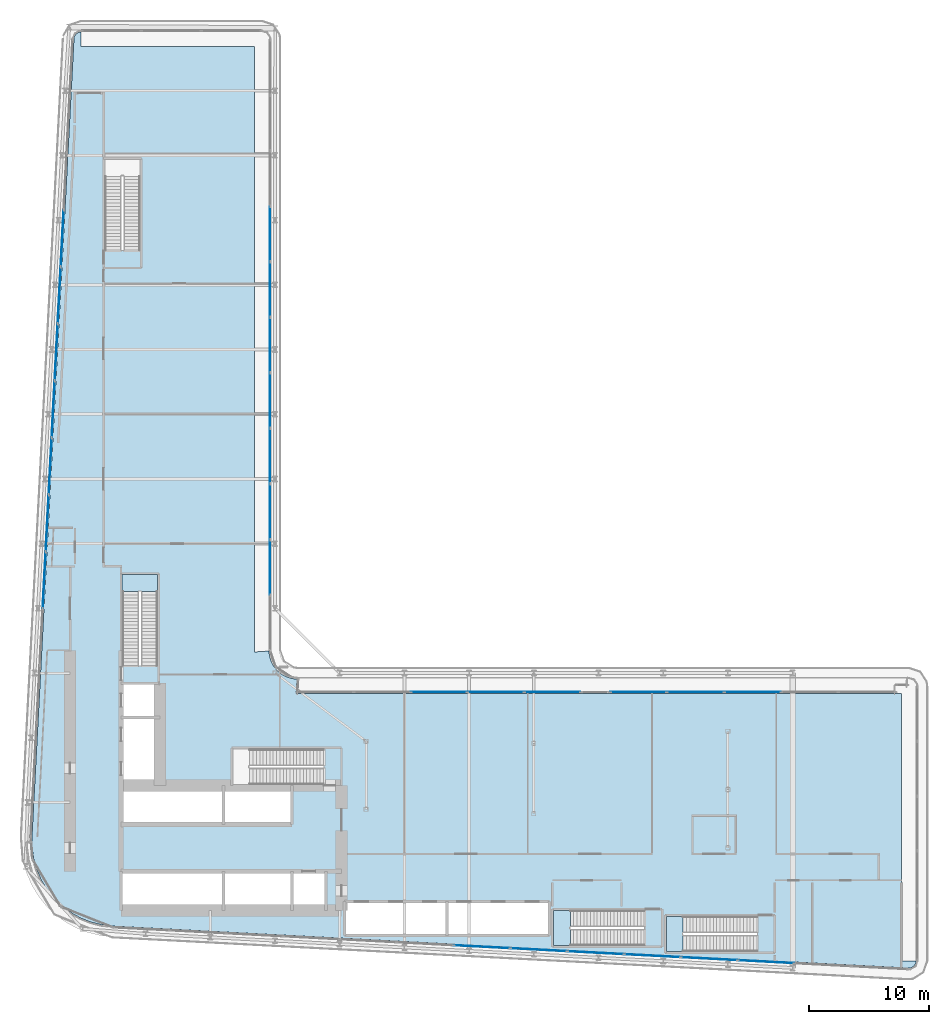
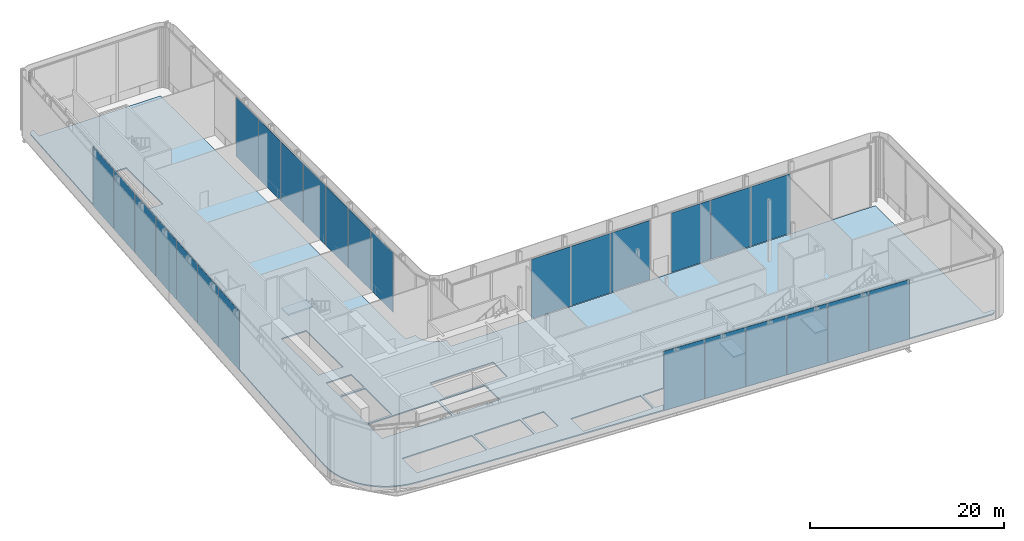
# One storey, part 21 of 36: 26 plates, 4 slabs, 8 elements without a shape of their own.
"""IFC4 building model written with IfcOpenShell, lengths in metres."""

from ifc_helpers import new_model, si_unit, direction, frame, origin, origin_2d, place, context, subcontext, project, spatial, polyline, rectangle, outline, extrude, material, layer, layer_set, type_object, element, aggregate, save


model = new_model("IFC4")

# Units and contexts
model_context = context("Model", 3, precision=1e-05, world=origin(), true_north=direction((0.0, 1.0)))
body_context = subcontext(model_context, "Body", "Model", "MODEL_VIEW")
ifc_project = project(units=[si_unit("LENGTHUNIT", "METRE"), si_unit("AREAUNIT", "SQUARE_METRE"), si_unit("VOLUMEUNIT", "CUBIC_METRE"), si_unit("PLANEANGLEUNIT", "RADIAN"), si_unit("MASSUNIT", "GRAM", prefix="KILO")], contexts=[model_context])

# Site, building, storey
site_placement = place(None, origin())
site = spatial("IfcSite", under=ifc_project, at=site_placement, CompositionType="ELEMENT")
building_placement = place(site_placement, origin())
building = spatial("IfcBuilding", under=site, at=building_placement, Name="Kheshtan School and Residences Tower", CompositionType="ELEMENT")
storey_placement = place(building_placement, frame((0.0, 0.0, 81.199951171875)))
storey = spatial("IfcBuildingStorey", under=building, at=storey_placement, Name="L19", CompositionType="ELEMENT", Elevation=81.199951171875)

# Curtain wall, plates
ifc_material_1 = material(Name="Clear low-e glass in thermally broken aluminium frame", Category="aluminium")
ifc_layer_1 = layer(ifc_material_1, 0.25)
ifc_layer_set_1 = layer_set([ifc_layer_1], Name="Curtain wall CW-G")
curtain_wall_type_1 = type_object("IfcCurtainWallType", Name="Curtain wall CW-G", PredefinedType="NOTDEFINED", material=ifc_layer_set_1)
curtain_wall_1_placement = place(storey_placement, origin())
curtain_wall_1 = element("IfcCurtainWall", 1, at=curtain_wall_1_placement, inside=storey, type_object=curtain_wall_type_1, Name="Curtain wall CWG5", PredefinedType="NOTDEFINED")
ifc_layer_2 = layer(ifc_material_1, 0.0380859375)
ifc_layer_set_2 = layer_set([ifc_layer_2], Name="CW-G glass panel")
plate_type_1 = type_object("IfcPlateType", Name="CW-G glass panel", PredefinedType="CURTAIN_PANEL", material=ifc_layer_set_2)
plate_1_placement = place(storey_placement, frame((61.280029296875, 44.0, 0.0), z_axis=(0.0, 0.0, 1.0), x_axis=(1.0, 0.0, 0.0)))
plate_1 = element("IfcPlate", 2, at=plate_1_placement, type_object=plate_type_1, Name="CWG5 panel 3.1", PredefinedType="CURTAIN_PANEL", context=body_context, shape_type="SweptSolid", body=[
    extrude(rectangle(XDim=4.679931640625, YDim=0.0380859375, at=origin_2d()), origin(), (0.0, 0.0, 1.0), 7.489990234375),
])
plate_2_placement = place(storey_placement, frame((66.02001953125, 44.0, 0.0), z_axis=(0.0, 0.0, 1.0), x_axis=(1.0, 0.0, 0.0)))
plate_2 = element("IfcPlate", 3, at=plate_2_placement, type_object=plate_type_1, Name="CWG5 panel 4.1", PredefinedType="CURTAIN_PANEL", context=body_context, shape_type="SweptSolid", body=[
    extrude(rectangle(XDim=4.679931640625, YDim=0.0380859375, at=origin_2d()), origin(), (0.0, 0.0, 1.0), 7.489990234375),
])
plate_3_placement = place(storey_placement, frame((70.7451171875, 44.0, 0.0), z_axis=(0.0, 0.0, 1.0), x_axis=(1.0, 0.0, 0.0)))
plate_3 = element("IfcPlate", 4, at=plate_3_placement, type_object=plate_type_1, Name="CWG5 panel 5.1", PredefinedType="CURTAIN_PANEL", context=body_context, shape_type="SweptSolid", body=[
    extrude(rectangle(XDim=4.64990234375, YDim=0.0380859375, at=origin_2d()), origin(), (0.0, 0.0, 1.0), 7.489990234375),
])
aggregate(curtain_wall_1, [plate_1, plate_2, plate_3])

curtain_wall_2_placement = place(storey_placement, origin())
curtain_wall_2 = element("IfcCurtainWall", 5, at=curtain_wall_2_placement, inside=storey, type_object=curtain_wall_type_1, Name="Curtain wall CWG5a", PredefinedType="NOTDEFINED")
plate_4_placement = place(storey_placement, frame((77.931884765625, 44.0, 0.0), z_axis=(0.0, 0.0, 1.0), x_axis=(1.0, 0.0, 0.0)))
plate_4 = element("IfcPlate", 6, at=plate_4_placement, type_object=plate_type_1, Name="CWG5a panel 1.1", PredefinedType="CURTAIN_PANEL", context=body_context, shape_type="SweptSolid", body=[
    extrude(rectangle(XDim=4.68408203125, YDim=0.0380859375, at=origin_2d()), origin(), (0.0, 0.0, 1.0), 7.489990234375),
])
plate_5_placement = place(storey_placement, frame((82.69091796875, 44.0, 0.0), z_axis=(0.0, 0.0, 1.0), x_axis=(1.0, 0.0, 0.0)))
plate_5 = element("IfcPlate", 7, at=plate_5_placement, type_object=plate_type_1, Name="CWG5a panel 2.1", PredefinedType="CURTAIN_PANEL", context=body_context, shape_type="SweptSolid", body=[
    extrude(rectangle(XDim=4.714111328125, YDim=0.0380859375, at=origin_2d()), origin(), (0.0, 0.0, 1.0), 7.489990234375),
])
plate_6_placement = place(storey_placement, frame((87.465087890625, 44.0, 0.0), z_axis=(0.0, 0.0, 1.0), x_axis=(1.0, 0.0, 0.0)))
plate_6 = element("IfcPlate", 8, at=plate_6_placement, type_object=plate_type_1, Name="CWG5a panel 3.1", PredefinedType="CURTAIN_PANEL", context=body_context, shape_type="SweptSolid", body=[
    extrude(rectangle(XDim=4.714111328125, YDim=0.0380859375, at=origin_2d()), origin(), (0.0, 0.0, 1.0), 7.489990234375),
])
aggregate(curtain_wall_2, [plate_4, plate_5, plate_6])

ifc_layer_3 = layer(ifc_material_1, 0.25)
ifc_layer_set_3 = layer_set([ifc_layer_3], Name="Curtain wall CW-K")
curtain_wall_type_2 = type_object("IfcCurtainWallType", Name="Curtain wall CW-K", PredefinedType="NOTDEFINED", material=ifc_layer_set_3)
curtain_wall_3_placement = place(storey_placement, origin())
curtain_wall_3 = element("IfcCurtainWall", 9, at=curtain_wall_3_placement, inside=storey, type_object=curtain_wall_type_2, Name="Curtain wall CWK14", PredefinedType="NOTDEFINED")
ifc_layer_4 = layer(ifc_material_1, 0.0380859375)
ifc_layer_set_4 = layer_set([ifc_layer_4], Name="CW-K glass panel")
plate_type_2 = type_object("IfcPlateType", Name="CW-K glass panel", PredefinedType="CURTAIN_PANEL", material=ifc_layer_set_4)
plate_7_placement = place(storey_placement, frame((88.58056640625, 21.507080078125, 0.0), z_axis=(0.0, 0.0, 1.0), x_axis=(-0.998617247391, 0.052569888839, 0.0)))
plate_7 = element("IfcPlate", 10, at=plate_7_placement, type_object=plate_type_2, Name="CWK14 panel 3.1", PredefinedType="CURTAIN_PANEL", context=body_context, shape_type="SweptSolid", body=[
    extrude(rectangle(XDim=4.6875, YDim=0.0380859375, at=origin_2d()), origin(), (0.0, 0.0, 1.0), 7.489990234375),
])
plate_8_placement = place(storey_placement, frame((83.83984375, 21.756591796875, 0.0), z_axis=(0.0, 0.0, 1.0), x_axis=(-0.998617247391, 0.052569888839, 0.0)))
plate_8 = element("IfcPlate", 11, at=plate_8_placement, type_object=plate_type_2, Name="CWK14 panel 4.1", PredefinedType="CURTAIN_PANEL", context=body_context, shape_type="SweptSolid", body=[
    extrude(rectangle(XDim=4.6875, YDim=0.0380859375, at=origin_2d()), origin(), (0.0, 0.0, 1.0), 7.489990234375),
])
plate_9_placement = place(storey_placement, frame((79.098876953125, 22.006103515625, 0.0), z_axis=(0.0, 0.0, 1.0), x_axis=(-0.998617247391, 0.052569888839, 0.0)))
plate_9 = element("IfcPlate", 12, at=plate_9_placement, type_object=plate_type_2, Name="CWK14 panel 5.1", PredefinedType="CURTAIN_PANEL", context=body_context, shape_type="SweptSolid", body=[
    extrude(rectangle(XDim=4.6875, YDim=0.0380859375, at=origin_2d()), origin(), (0.0, 0.0, 1.0), 7.489990234375),
])
plate_10_placement = place(storey_placement, frame((74.35791015625, 22.255859375, 0.0), z_axis=(0.0, 0.0, 1.0), x_axis=(-0.998617247391, 0.052569888839, 0.0)))
plate_10 = element("IfcPlate", 13, at=plate_10_placement, type_object=plate_type_2, Name="CWK14 panel 6.1", PredefinedType="CURTAIN_PANEL", context=body_context, shape_type="SweptSolid", body=[
    extrude(rectangle(XDim=4.6875, YDim=0.0380859375, at=origin_2d()), origin(), (0.0, 0.0, 1.0), 7.489990234375),
])
plate_11_placement = place(storey_placement, frame((69.6171875, 22.50537109375, 0.0), z_axis=(0.0, 0.0, 1.0), x_axis=(-0.998617247391, 0.052569888839, 0.0)))
plate_11 = element("IfcPlate", 14, at=plate_11_placement, type_object=plate_type_2, Name="CWK14 panel 7.1", PredefinedType="CURTAIN_PANEL", context=body_context, shape_type="SweptSolid", body=[
    extrude(rectangle(XDim=4.6875, YDim=0.0380859375, at=origin_2d()), origin(), (0.0, 0.0, 1.0), 7.489990234375),
])
plate_12_placement = place(storey_placement, frame((64.876220703125, 22.7548828125, 0.0), z_axis=(0.0, 0.0, 1.0), x_axis=(-0.998617247391, 0.052569888839, 0.0)))
plate_12 = element("IfcPlate", 15, at=plate_12_placement, type_object=plate_type_2, Name="CWK14 panel 8.1", PredefinedType="CURTAIN_PANEL", context=body_context, shape_type="SweptSolid", body=[
    extrude(rectangle(XDim=4.6875, YDim=0.0380859375, at=origin_2d()), origin(), (0.0, 0.0, 1.0), 7.489990234375),
])
aggregate(curtain_wall_3, [plate_7, plate_8, plate_9, plate_10, plate_11, plate_12])

curtain_wall_4_placement = place(storey_placement, origin())
curtain_wall_4 = element("IfcCurtainWall", 16, at=curtain_wall_4_placement, inside=storey, type_object=curtain_wall_type_2, Name="Curtain wall CWK18", PredefinedType="NOTDEFINED")
plate_13_placement = place(storey_placement, frame((28.345703125, 53.36083984375, 0.0), z_axis=(0.0, 0.0, 1.0), x_axis=(0.05256513568, 0.998617497599, 0.0)))
plate_13 = element("IfcPlate", 17, at=plate_13_placement, type_object=plate_type_2, Name="CWK18 panel 5.1", PredefinedType="CURTAIN_PANEL", context=body_context, shape_type="SweptSolid", body=[
    extrude(rectangle(XDim=4.69873046875, YDim=0.0380859375, at=origin_2d()), origin(), (0.0, 0.0, 1.0), 7.489990234375),
])
plate_14_placement = place(storey_placement, frame((28.595947265625, 58.113037109375, 0.0), z_axis=(0.0, 0.0, 1.0), x_axis=(0.05256513568, 0.998617497599, 0.0)))
plate_14 = element("IfcPlate", 18, at=plate_14_placement, type_object=plate_type_2, Name="CWK18 panel 6.1", PredefinedType="CURTAIN_PANEL", context=body_context, shape_type="SweptSolid", body=[
    extrude(rectangle(XDim=4.69873046875, YDim=0.0380859375, at=origin_2d()), origin(), (0.0, 0.0, 1.0), 7.489990234375),
])
plate_15_placement = place(storey_placement, frame((28.845947265625, 62.865234375, 0.0), z_axis=(0.0, 0.0, 1.0), x_axis=(0.05256513568, 0.998617497599, 0.0)))
plate_15 = element("IfcPlate", 19, at=plate_15_placement, type_object=plate_type_2, Name="CWK18 panel 7.1", PredefinedType="CURTAIN_PANEL", context=body_context, shape_type="SweptSolid", body=[
    extrude(rectangle(XDim=4.69873046875, YDim=0.0380859375, at=origin_2d()), origin(), (0.0, 0.0, 1.0), 7.489990234375),
])
plate_16_placement = place(storey_placement, frame((29.09619140625, 67.617431640625, 0.0), z_axis=(0.0, 0.0, 1.0), x_axis=(0.05256513568, 0.998617497599, 0.0)))
plate_16 = element("IfcPlate", 20, at=plate_16_placement, type_object=plate_type_2, Name="CWK18 panel 8.1", PredefinedType="CURTAIN_PANEL", context=body_context, shape_type="SweptSolid", body=[
    extrude(rectangle(XDim=4.69873046875, YDim=0.0380859375, at=origin_2d()), origin(), (0.0, 0.0, 1.0), 7.489990234375),
])
plate_17_placement = place(storey_placement, frame((29.346435546875, 72.369384765625, 0.0), z_axis=(0.0, 0.0, 1.0), x_axis=(0.05256513568, 0.998617497599, 0.0)))
plate_17 = element("IfcPlate", 21, at=plate_17_placement, type_object=plate_type_2, Name="CWK18 panel 9.1", PredefinedType="CURTAIN_PANEL", context=body_context, shape_type="SweptSolid", body=[
    extrude(rectangle(XDim=4.69873046875, YDim=0.0380859375, at=origin_2d()), origin(), (0.0, 0.0, 1.0), 7.489990234375),
])
plate_18_placement = place(storey_placement, frame((29.596435546875, 77.12158203125, 0.0), z_axis=(0.0, 0.0, 1.0), x_axis=(0.05256513568, 0.998617497599, 0.0)))
plate_18 = element("IfcPlate", 22, at=plate_18_placement, type_object=plate_type_2, Name="CWK18 panel 10.1", PredefinedType="CURTAIN_PANEL", context=body_context, shape_type="SweptSolid", body=[
    extrude(rectangle(XDim=4.69873046875, YDim=0.0380859375, at=origin_2d()), origin(), (0.0, 0.0, 1.0), 7.489990234375),
])
plate_19_placement = place(storey_placement, frame((29.8466796875, 81.873779296875, 0.0), z_axis=(0.0, 0.0, 1.0), x_axis=(0.05256513568, 0.998617497599, 0.0)))
plate_19 = element("IfcPlate", 23, at=plate_19_placement, type_object=plate_type_2, Name="CWK18 panel 11.1", PredefinedType="CURTAIN_PANEL", context=body_context, shape_type="SweptSolid", body=[
    extrude(rectangle(XDim=4.69873046875, YDim=0.0380859375, at=origin_2d()), origin(), (0.0, 0.0, 1.0), 7.489990234375),
])
aggregate(curtain_wall_4, [plate_13, plate_14, plate_15, plate_16, plate_17, plate_18, plate_19])

curtain_wall_5_placement = place(storey_placement, origin())
curtain_wall_5 = element("IfcCurtainWall", 24, at=curtain_wall_5_placement, inside=storey, type_object=curtain_wall_type_2, Name="Curtain wall CWK24", PredefinedType="NOTDEFINED")
plate_20_placement = place(storey_placement, frame((47.199951171875, 82.242431640625, 0.0), z_axis=(0.0, 0.0, 1.0), x_axis=(0.0, -1.0, 0.0)))
plate_20 = element("IfcPlate", 25, at=plate_20_placement, type_object=plate_type_2, Name="CWK24 panel 4.1", PredefinedType="CURTAIN_PANEL", context=body_context, shape_type="SweptSolid", body=[
    extrude(rectangle(XDim=4.576416015625, YDim=0.0380859375, at=origin_2d()), origin(), (0.0, 0.0, 1.0), 7.489990234375),
])
plate_21_placement = place(storey_placement, frame((47.199951171875, 77.60595703125, 0.0), z_axis=(0.0, 0.0, 1.0), x_axis=(0.0, -1.0, 0.0)))
plate_21 = element("IfcPlate", 26, at=plate_21_placement, type_object=plate_type_2, Name="CWK24 panel 5.1", PredefinedType="CURTAIN_PANEL", context=body_context, shape_type="SweptSolid", body=[
    extrude(rectangle(XDim=4.576416015625, YDim=0.0380859375, at=origin_2d()), origin(), (0.0, 0.0, 1.0), 7.489990234375),
])
plate_22_placement = place(storey_placement, frame((47.199951171875, 72.969482421875, 0.0), z_axis=(0.0, 0.0, 1.0), x_axis=(0.0, -1.0, 0.0)))
plate_22 = element("IfcPlate", 27, at=plate_22_placement, type_object=plate_type_2, Name="CWK24 panel 6.1", PredefinedType="CURTAIN_PANEL", context=body_context, shape_type="SweptSolid", body=[
    extrude(rectangle(XDim=4.576416015625, YDim=0.0380859375, at=origin_2d()), origin(), (0.0, 0.0, 1.0), 7.489990234375),
])
plate_23_placement = place(storey_placement, frame((47.199951171875, 68.3330078125, 0.0), z_axis=(0.0, 0.0, 1.0), x_axis=(0.0, -1.0, 0.0)))
plate_23 = element("IfcPlate", 28, at=plate_23_placement, type_object=plate_type_2, Name="CWK24 panel 7.1", PredefinedType="CURTAIN_PANEL", context=body_context, shape_type="SweptSolid", body=[
    extrude(rectangle(XDim=4.576416015625, YDim=0.0380859375, at=origin_2d()), origin(), (0.0, 0.0, 1.0), 7.489990234375),
])
plate_24_placement = place(storey_placement, frame((47.199951171875, 63.696533203125, 0.0), z_axis=(0.0, 0.0, 1.0), x_axis=(0.0, -1.0, 0.0)))
plate_24 = element("IfcPlate", 29, at=plate_24_placement, type_object=plate_type_2, Name="CWK24 panel 8.1", PredefinedType="CURTAIN_PANEL", context=body_context, shape_type="SweptSolid", body=[
    extrude(rectangle(XDim=4.576416015625, YDim=0.0380859375, at=origin_2d()), origin(), (0.0, 0.0, 1.0), 7.489990234375),
])
plate_25_placement = place(storey_placement, frame((47.199951171875, 59.06005859375, 0.0), z_axis=(0.0, 0.0, 1.0), x_axis=(0.0, -1.0, 0.0)))
plate_25 = element("IfcPlate", 30, at=plate_25_placement, type_object=plate_type_2, Name="CWK24 panel 9.1", PredefinedType="CURTAIN_PANEL", context=body_context, shape_type="SweptSolid", body=[
    extrude(rectangle(XDim=4.576416015625, YDim=0.0380859375, at=origin_2d()), origin(), (0.0, 0.0, 1.0), 7.489990234375),
])
plate_26_placement = place(storey_placement, frame((47.199951171875, 54.423583984375, 0.0), z_axis=(0.0, 0.0, 1.0), x_axis=(0.0, -1.0, 0.0)))
plate_26 = element("IfcPlate", 31, at=plate_26_placement, type_object=plate_type_2, Name="CWK24 panel 10.1", PredefinedType="CURTAIN_PANEL", context=body_context, shape_type="SweptSolid", body=[
    extrude(rectangle(XDim=4.576416015625, YDim=0.0380859375, at=origin_2d()), origin(), (0.0, 0.0, 1.0), 7.489990234375),
])
aggregate(curtain_wall_5, [plate_20, plate_21, plate_22, plate_23, plate_24, plate_25, plate_26])

# Slab
ifc_material_2 = material(Name="Concrete C40/50", Category="concrete")
ifc_layer_5 = layer(ifc_material_2, 0.14990234375)
ifc_layer_set_5 = layer_set([ifc_layer_5], Name="Floor slab 150 Concrete C40/50")
slab_type_1 = type_object("IfcSlabType", Name="Floor slab 150 Concrete C40/50", PredefinedType="FLOOR", material=ifc_layer_set_5)
slab_1_placement = place(storey_placement, frame((0.0, 0.0, -0.14990234375)))
element("IfcSlab", 32, at=slab_1_placement, inside=storey, type_object=slab_type_1, Name="Floor slab L19", PredefinedType="FLOOR", context=body_context, shape_type="SweptSolid", body=[
    extrude(outline(polyline([(30.931884765625, 98.840087890625), (30.98291015625, 98.904052734375), (31.04296875, 98.9619140625), (31.10693359375, 99.008056640625), (31.18310546875, 99.047119140625), (31.260986328125, 99.074951171875), (31.341064453125, 99.092041015625), (31.423095703125, 99.097900390625), (31.423095703125, 97.902099609375), (31.423095703125, 97.90087890625), (31.424072265625, 97.89990234375), (31.425048828125, 97.89990234375), (45.85009765625, 97.89990234375), (45.85498046875, 97.89990234375), (45.860107421875, 97.89892578125), (45.864990234375, 97.89794921875), (45.868896484375, 97.89599609375), (45.8740234375, 97.89404296875), (45.8779296875, 97.89208984375), (45.882080078125, 97.888916015625), (45.885009765625, 97.885009765625), (45.888916015625, 97.882080078125), (45.89208984375, 97.8779296875), (45.89404296875, 97.8740234375), (45.89599609375, 97.868896484375), (45.89794921875, 97.864990234375), (45.89892578125, 97.860107421875), (45.89990234375, 97.85498046875), (45.89990234375, 97.85009765625), (45.89990234375, 47.501953125), (45.89990234375, 47.5009765625), (45.90087890625, 47.5), (45.89990234375, 47.5), (45.89990234375, 47.429931640625), (45.905029296875, 47.361083984375), (47.10205078125, 47.43994140625), (47.118896484375, 47.18603515625), (47.179931640625, 46.87890625), (47.281005859375, 46.5810546875), (47.419921875, 46.299072265625), (47.593994140625, 46.0390625), (47.801025390625, 45.801025390625), (48.0390625, 45.593994140625), (48.299072265625, 45.419921875), (48.5810546875, 45.281005859375), (48.87890625, 45.179931640625), (49.18603515625, 45.118896484375), (49.43994140625, 45.10205078125), (49.361083984375, 43.905029296875), (49.429931640625, 43.89990234375), (49.5009765625, 43.89990234375), (49.501953125, 43.89990234375), (99.39990234375, 43.89990234375), (99.85009765625, 43.89990234375), (99.85498046875, 43.89990234375), (99.860107421875, 43.89892578125), (99.864990234375, 43.89794921875), (99.868896484375, 43.89599609375), (99.8740234375, 43.89404296875), (99.8779296875, 43.89208984375), (99.882080078125, 43.888916015625), (99.885009765625, 43.885009765625), (99.888916015625, 43.882080078125), (99.89208984375, 43.8779296875), (99.89404296875, 43.8740234375), (99.89599609375, 43.868896484375), (99.89794921875, 43.864990234375), (99.89892578125, 43.860107421875), (99.89990234375, 43.85498046875), (99.89990234375, 43.85009765625), (99.89990234375, 21.5830078125), (99.89990234375, 21.58203125), (99.90087890625, 21.5810546875), (99.902099609375, 21.5810546875), (101.097900390625, 21.5810546875), (101.092041015625, 21.5009765625), (101.075927734375, 21.4208984375), (101.049072265625, 21.343017578125), (101.011962890625, 21.27099609375), (100.968017578125, 21.2080078125), (100.912109375, 21.14794921875), (100.847900390625, 21.094970703125), (100.781005859375, 21.052978515625), (100.708984375, 21.02099609375), (100.6279296875, 20.9970703125), (100.548095703125, 20.985107421875), (100.444091796875, 20.98291015625), (100.43798828125, 20.98291015625), (34.056884765625, 24.47802734375), (33.114990234375, 24.590087890625), (32.215087890625, 24.819091796875), (31.35205078125, 25.1630859375), (30.541015625, 25.616943359375), (29.798095703125, 26.172119140625), (29.134033203125, 26.820068359375), (28.55908203125, 27.550048828125), (28.0849609375, 28.345947265625), (27.718017578125, 29.200927734375), (27.466064453125, 30.093994140625), (27.3330078125, 31.013916015625), (27.320068359375, 31.965087890625), (27.320068359375, 31.970947265625), (30.822021484375, 98.5009765625), (30.822998046875, 98.508056640625), (30.8359375, 98.613037109375), (30.85693359375, 98.69189453125), (30.888916015625, 98.77001953125), (30.931884765625, 98.840087890625)]), holes=[polyline([(34.875, 28.925048828125), (34.875, 25.925048828125), (43.175048828125, 25.925048828125), (43.175048828125, 28.925048828125), (34.875, 28.925048828125)]), polyline([(43.425048828125, 25.925048828125), (48.875, 25.925048828125), (48.875, 28.925048828125), (43.425048828125, 28.925048828125), (43.425048828125, 25.925048828125)]), polyline([(43.175048828125, 36.074951171875), (34.875, 36.074951171875), (34.875, 33.074951171875), (43.175048828125, 33.074951171875), (43.175048828125, 36.074951171875)]), polyline([(34.875, 41.77490234375), (34.875, 36.324951171875), (37.875, 36.324951171875), (37.875, 41.77490234375), (34.875, 41.77490234375)]), polyline([(34.875, 44.625), (34.875, 42.02490234375), (37.875, 42.02490234375), (37.875, 44.625), (34.875, 44.625)]), polyline([(37.800048828125, 46.25), (37.800048828125, 53.81005859375), (34.85009765625, 53.81005859375), (34.85009765625, 46.260009765625), (36.25, 46.260009765625), (36.25, 46.25), (37.800048828125, 46.25)]), polyline([(33.39990234375, 88.4599609375), (33.39990234375, 80.909912109375), (34.800048828125, 80.909912109375), (34.800048828125, 80.89990234375), (36.35009765625, 80.89990234375), (36.35009765625, 88.4599609375), (33.39990234375, 88.4599609375)]), polyline([(87.81005859375, 22.35009765625), (87.81005859375, 23.75), (87.820068359375, 23.75), (87.820068359375, 25.300048828125), (80.260009765625, 25.300048828125), (80.260009765625, 22.35009765625), (87.81005859375, 22.35009765625)]), polyline([(70.85009765625, 22.85009765625), (78.39990234375, 22.85009765625), (78.39990234375, 24.25), (78.409912109375, 24.25), (78.409912109375, 25.800048828125), (70.85009765625, 25.800048828125), (70.85009765625, 22.85009765625)]), polyline([(61.824951171875, 26.425048828125), (53.52490234375, 26.425048828125), (53.52490234375, 23.824951171875), (61.824951171875, 23.824951171875), (61.824951171875, 26.425048828125)]), polyline([(62.074951171875, 23.824951171875), (70.375, 23.824951171875), (70.375, 26.425048828125), (62.074951171875, 26.425048828125), (62.074951171875, 23.824951171875)]), polyline([(49.125, 28.925048828125), (49.125, 25.925048828125), (51.72509765625, 25.925048828125), (51.72509765625, 28.925048828125), (49.125, 28.925048828125)]), polyline([(43.425048828125, 33.074951171875), (48.875, 33.074951171875), (48.875, 36.074951171875), (43.425048828125, 36.074951171875), (43.425048828125, 33.074951171875)]), polyline([(51.64990234375, 39.25), (44.090087890625, 39.25), (44.090087890625, 36.300048828125), (51.639892578125, 36.300048828125), (51.639892578125, 37.699951171875), (51.64990234375, 37.699951171875), (51.64990234375, 39.25)])]), origin(), (0.0, 0.0, 1.0), 0.14990234375),
])

# Stair, slab
stair_type = type_object("IfcStairType", Name="Exit stair, half-turn", PredefinedType="HALF_TURN_STAIR", material=ifc_material_2)
stair_1_placement = place(storey_placement, origin())
stair_1 = element("IfcStair", 33, at=stair_1_placement, inside=storey, type_object=stair_type, Name="L19 Protected Exit Stair ST2", PredefinedType="HALF_TURN_STAIR")
ifc_layer_6 = layer(ifc_material_2, 0.199951171875)
ifc_layer_set_6 = layer_set([ifc_layer_6], Name="Stair landing 200 Concrete C40/50")
slab_type_2 = type_object("IfcSlabType", Name="Stair landing 200 Concrete C40/50", PredefinedType="LANDING", material=ifc_layer_set_6)
slab_2_placement = place(storey_placement, frame((0.0, 0.0, 3.699951171875)))
slab_2 = element("IfcSlab", 34, at=slab_2_placement, type_object=slab_type_2, Name="ST2 landing 1", PredefinedType="LANDING", context=body_context, shape_type="SweptSolid", body=[
    extrude(outline(polyline([(37.800048828125, 52.409912109375), (37.800048828125, 53.81005859375), (34.85009765625, 53.81005859375), (34.85009765625, 52.409912109375), (37.800048828125, 52.409912109375)])), origin(), (0.0, 0.0, 1.0), 0.2001953125),
])
aggregate(stair_1, [slab_2])

stair_2_placement = place(storey_placement, origin())
stair_2 = element("IfcStair", 35, at=stair_2_placement, inside=storey, type_object=stair_type, Name="L19 Protected Exit Stair ST4", PredefinedType="HALF_TURN_STAIR")
slab_3_placement = place(storey_placement, frame((0.0, 0.0, 3.699951171875)))
slab_3 = element("IfcSlab", 36, at=slab_3_placement, type_object=slab_type_2, Name="ST4 landing 1", PredefinedType="LANDING", context=body_context, shape_type="SweptSolid", body=[
    extrude(outline(polyline([(81.659912109375, 25.300048828125), (80.260009765625, 25.300048828125), (80.260009765625, 22.35009765625), (81.659912109375, 22.35009765625), (81.659912109375, 25.300048828125)])), origin(), (0.0, 0.0, 1.0), 0.2001953125),
])
aggregate(stair_2, [slab_3])

stair_3_placement = place(storey_placement, origin())
stair_3 = element("IfcStair", 37, at=stair_3_placement, inside=storey, type_object=stair_type, Name="L19 Protected Exit Stair ST5", PredefinedType="HALF_TURN_STAIR")
slab_4_placement = place(storey_placement, frame((0.0, 0.0, 3.699951171875)))
slab_4 = element("IfcSlab", 38, at=slab_4_placement, type_object=slab_type_2, Name="ST5 landing 1", PredefinedType="LANDING", context=body_context, shape_type="SweptSolid", body=[
    extrude(outline(polyline([(72.25, 25.800048828125), (70.85009765625, 25.800048828125), (70.85009765625, 22.85009765625), (72.25, 22.85009765625), (72.25, 25.800048828125)])), origin(), (0.0, 0.0, 1.0), 0.2001953125),
])
aggregate(stair_3, [slab_4])

save(model, "model.ifc")
